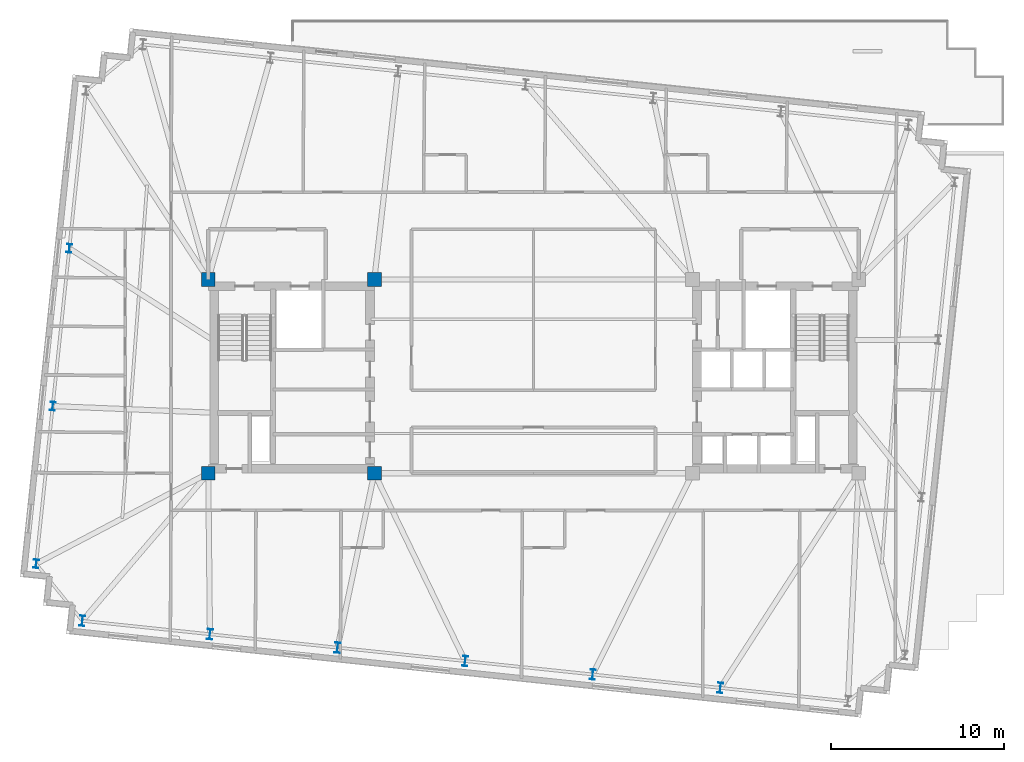
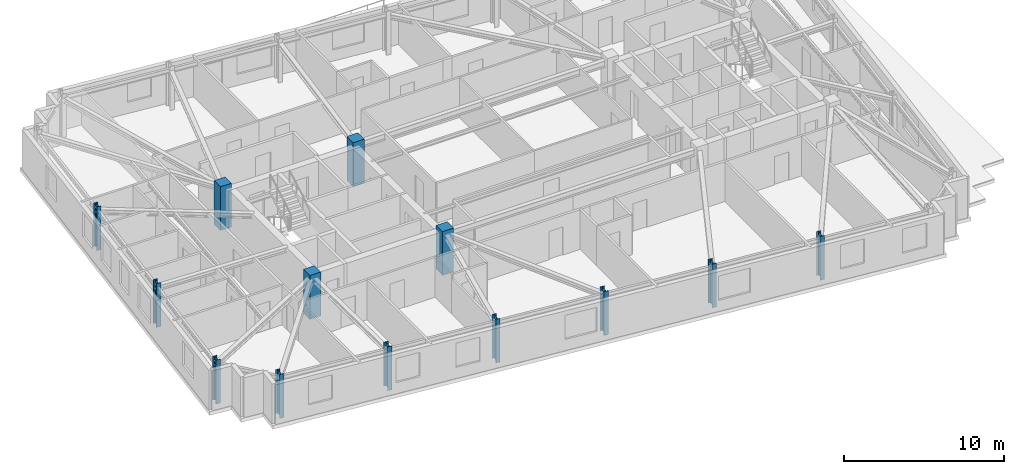
# One storey, part 1 of 13: 13 columns.
"""IFC4 building model written with IfcOpenShell, lengths in metres."""

from ifc_helpers import new_model, si_unit, direction, frame, origin, origin_2d, place, context, subcontext, project, spatial, rectangle, i_section, extrude, material, material_profile, profile_set, type_object, element, save


model = new_model("IFC4")

# Units and contexts
model_context = context("Model", 3, precision=1e-05, world=origin(), true_north=direction((0.0, 1.0)))
body_context = subcontext(model_context, "Body", "Model", "MODEL_VIEW")
ifc_project = project(units=[si_unit("LENGTHUNIT", "METRE"), si_unit("AREAUNIT", "SQUARE_METRE"), si_unit("VOLUMEUNIT", "CUBIC_METRE"), si_unit("PLANEANGLEUNIT", "RADIAN"), si_unit("MASSUNIT", "GRAM", prefix="KILO")], contexts=[model_context])

# Site, building, storey
site_placement = place(None, origin())
site = spatial("IfcSite", under=ifc_project, at=site_placement, CompositionType="ELEMENT")
building_placement = place(site_placement, origin())
building = spatial("IfcBuilding", under=site, at=building_placement, Name="Qobustan Lattice House", CompositionType="ELEMENT")
storey_placement = place(building_placement, frame((0.0, 0.0, 179.64990234375)))
storey = spatial("IfcBuildingStorey", under=building, at=storey_placement, Name="L50", CompositionType="ELEMENT", Elevation=179.64990234375)

# Columns
ifc_material_1 = material(Name="Concrete C50/60", Category="concrete")
ifc_material_profile_1 = material_profile(ifc_material_1, rectangle(XDim=0.800048828125, YDim=0.800048828125, at=origin_2d()), Name="RC800x800")
ifc_profile_set_1 = profile_set([ifc_material_profile_1], Name="Concrete C50/60")
column_type_1 = type_object("IfcColumnType", Name="COL-RC-800", PredefinedType="COLUMN", material=ifc_profile_set_1)
for number, where, z_axis, x_axis, name in (
    (1, (-18.800048828125, -5.60009765625, 0.0), (0.0, 0.0, 1.0), (1.0, 0.0, 0.0), "L50 core mega-column CW-SW"),
    (2, (-18.800048828125, 5.60009765625, 0.0), (0.0, 0.0, 1.0), (1.0, 0.0, 0.0), "L50 core mega-column CW-NW"),
    (3, (-9.199951171875, -5.60009765625, 0.0), (0.0, 0.0, 1.0), (1.0, 0.0, 0.0), "L50 core mega-column CW-SE"),
    (4, (-9.199951171875, 5.60009765625, 0.0), (0.0, 0.0, 1.0), (1.0, 0.0, 0.0), "L50 core mega-column CW-NE"),
):
    element("IfcColumn", number, at=place(storey_placement, frame(where, z_axis=z_axis, x_axis=x_axis)), inside=storey, type_object=column_type_1, Name=name, PredefinedType="COLUMN", context=body_context, shape_type="SweptSolid", body=[
        extrude(rectangle(XDim=0.800048828125, YDim=0.800048828125, at=origin_2d()), origin(), (0.0, 0.0, 1.0), 3.35009765625),
    ])
ifc_material_2 = material(Name="Steel S355", Category="steel")
ifc_material_profile_2 = material_profile(ifc_material_2, i_section(OverallWidth=0.300048828125, OverallDepth=0.5, WebThickness=0.014404296875, FlangeThickness=0.028076171875, FilletRadius=0.027099609375, at=origin_2d()), Name="HEB500")
ifc_profile_set_2 = profile_set([ifc_material_profile_2], Name="Steel S355")
column_type_2 = type_object("IfcColumnType", Name="COL-ST-HEB500", PredefinedType="COLUMN", material=ifc_profile_set_2)
for number, where, z_axis, x_axis, name in (
    (5, (-26.83251953125, 7.397705078125, 0.0), (0.0, 0.0, 1.0), (0.994521895368, -0.104528463268, 0.0), "L50 B4 perimeter column W2"),
    (6, (-27.790771484375, -1.718994140625, 0.0), (0.0, 0.0, 1.0), (0.994521895368, -0.104528463268, 0.0), "L50 B4 perimeter column W3"),
    (7, (-28.748779296875, -10.835205078125, 0.0), (0.0, 0.0, 1.0), (0.994521895368, -0.104528463268, 0.0), "L50 B4 perimeter column W4"),
):
    element("IfcColumn", number, at=place(storey_placement, frame(where, z_axis=z_axis, x_axis=x_axis)), inside=storey, type_object=column_type_2, Name=name, PredefinedType="COLUMN", context=body_context, shape_type="SweptSolid", body=[
        extrude(i_section(OverallWidth=0.300048828125, OverallDepth=0.5, WebThickness=0.014404296875, FlangeThickness=0.028076171875, FilletRadius=0.027099609375, at=origin_2d()), origin(), (0.0, 0.0, 1.0), 3.35009765625),
    ])
ifc_material_3 = material(Name="Steel S355", Category="steel")
ifc_material_profile_3 = material_profile(ifc_material_3, i_section(OverallWidth=0.300048828125, OverallDepth=0.60009765625, WebThickness=0.015380859375, FlangeThickness=0.030029296875, FilletRadius=0.027099609375, at=origin_2d()), Name="HEB600")
ifc_profile_set_3 = profile_set([ifc_material_profile_3], Name="Steel S355")
column_type_3 = type_object("IfcColumnType", Name="COL-ST-HEB600", PredefinedType="COLUMN", material=ifc_profile_set_3)
for number, where, z_axis, x_axis, name in (
    (8, (-26.0791015625, -14.132568359375, 0.0), (0.0, 0.0, 1.0), (0.994521895368, -0.104528463268, 0.0), "L50 B4 perimeter column S1"),
    (9, (-18.702880859375, -14.90771484375, 0.0), (0.0, 0.0, 1.0), (0.994521895368, -0.104528463268, 0.0), "L50 B4 perimeter column S2"),
    (10, (-11.326904296875, -15.68310546875, 0.0), (0.0, 0.0, 1.0), (0.994521895368, -0.104528463268, 0.0), "L50 B4 perimeter column S3"),
    (11, (-3.950927734375, -16.458251953125, 0.0), (0.0, 0.0, 1.0), (0.994521895368, -0.104528463268, 0.0), "L50 B4 perimeter column S4"),
    (12, (3.42529296875, -17.2333984375, 0.0), (0.0, 0.0, 1.0), (0.994521895368, -0.104528463268, 0.0), "L50 B4 perimeter column S5"),
    (13, (10.80126953125, -18.0087890625, 0.0), (0.0, 0.0, 1.0), (0.994521895368, -0.104528463268, 0.0), "L50 B4 perimeter column S6"),
):
    element("IfcColumn", number, at=place(storey_placement, frame(where, z_axis=z_axis, x_axis=x_axis)), inside=storey, type_object=column_type_3, Name=name, PredefinedType="COLUMN", context=body_context, shape_type="SweptSolid", body=[
        extrude(i_section(OverallWidth=0.300048828125, OverallDepth=0.60009765625, WebThickness=0.015380859375, FlangeThickness=0.030029296875, FilletRadius=0.027099609375, at=origin_2d()), origin(), (0.0, 0.0, 1.0), 3.35009765625),
    ])

save(model, "model.ifc")
